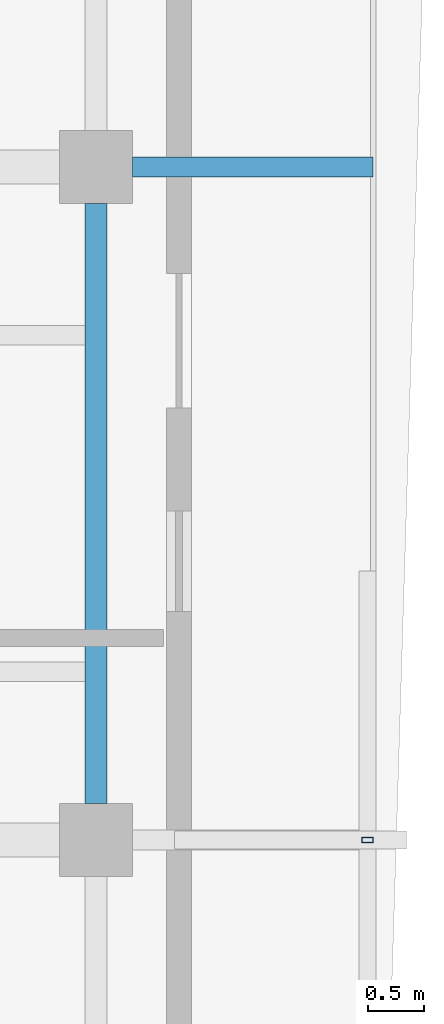
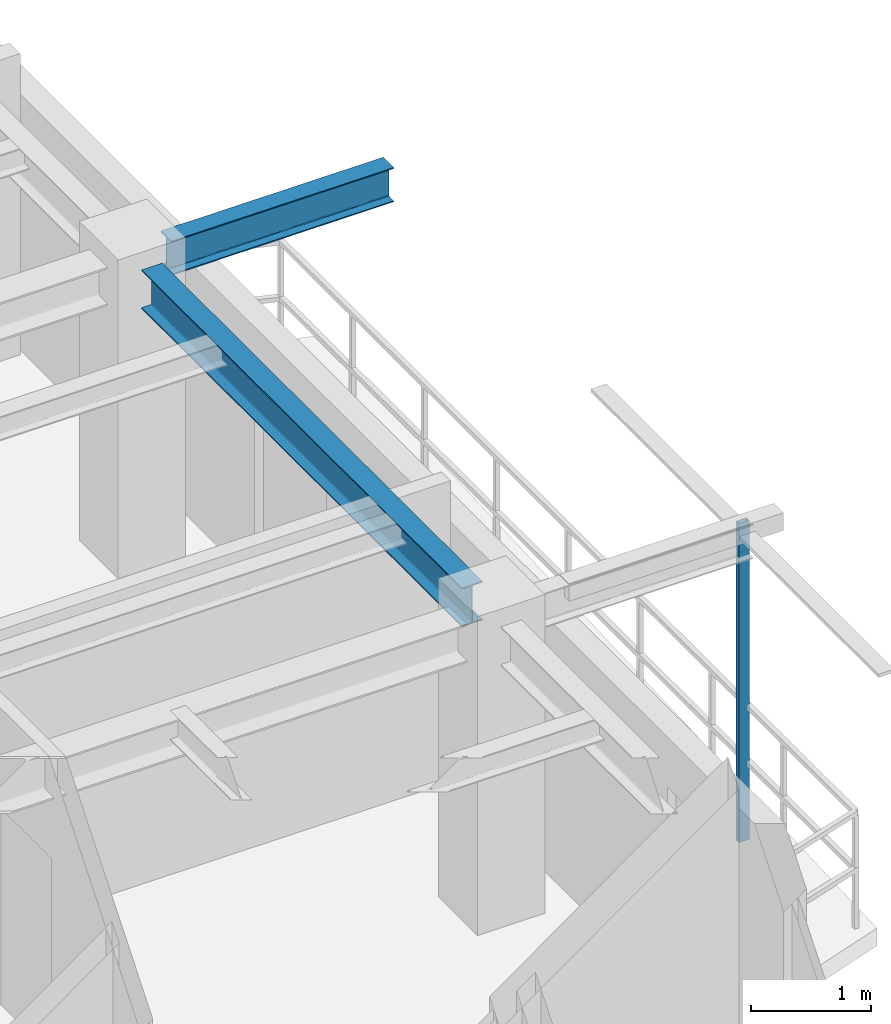
# One storey, part 7 of 15: 2 beams, 1 member.
"""IFC4 building model written with IfcOpenShell, lengths in metres."""

from ifc_helpers import new_model, si_unit, direction, frame, origin, origin_2d, place, context, subcontext, project, spatial, hollow_rectangle, i_section, extrude, source, transform, mapped, material, material_profile, profile_set, type_object, element, save


model = new_model("IFC4")

# Units and contexts
model_context = context("Model", 3, precision=1e-05, world=origin(), true_north=direction((0.0, 1.0)))
body_context = subcontext(model_context, "Body", "Model", "MODEL_VIEW")
ifc_project = project(units=[si_unit("LENGTHUNIT", "METRE"), si_unit("AREAUNIT", "SQUARE_METRE"), si_unit("VOLUMEUNIT", "CUBIC_METRE"), si_unit("PLANEANGLEUNIT", "RADIAN"), si_unit("MASSUNIT", "GRAM", prefix="KILO"), si_unit("THERMODYNAMICTEMPERATUREUNIT", "KELVIN"), si_unit("POWERUNIT", "WATT")], contexts=[model_context])

# Site, building, storey
site_placement = place(None, origin())
site = spatial("IfcSite", under=ifc_project, at=site_placement, CompositionType="ELEMENT")
building_placement = place(site_placement, origin())
building = spatial("IfcBuilding", under=site, at=building_placement, Name="Qiaomeng Ring Towers", CompositionType="ELEMENT")
storey_placement = place(building_placement, frame((0.0, 0.0, 250.25)))
storey = spatial("IfcBuildingStorey", under=building, at=storey_placement, Name="L73", CompositionType="ELEMENT", Elevation=250.25)

# Beams
ifc_material_1 = material(Name="Steel Q355B", Category="steel")
ifc_material_profile_1 = material_profile(ifc_material_1, i_section(OverallWidth=0.198974609375, OverallDepth=0.39599609375, WebThickness=0.007080078125, FlangeThickness=0.010986328125, FilletRadius=0.01611328125, at=origin_2d()), Name="HN 396x199x7x11")
ifc_profile_set_1 = profile_set([ifc_material_profile_1], Name="Steel Q355B")
beam_type_1 = type_object("IfcBeamType", Name="STR-BM-HN396", PredefinedType="SPANDREL", material=ifc_profile_set_1)
shared_shape_1 = source(origin(), body_context, "Body", "SweptSolid", [
    extrude(i_section(OverallWidth=0.198974609375, OverallDepth=0.39599609375, WebThickness=0.007080078125, FlangeThickness=0.010986328125, FilletRadius=0.01611328125, at=origin_2d()), origin(), (0.0, 0.0, 1.0), 5.35205078125),
])
beam_1_placement = place(storey_placement, frame((33.85009765625, 20.323974609375, 2.8720703125), z_axis=(0.0, 1.0, 0.0), x_axis=(-1.0, 0.0, 0.0)))
element("IfcBeam", 1, at=beam_1_placement, inside=storey, type_object=beam_type_1, Name="L73 beam STR-SP-L73-T1-E2-E3", PredefinedType="SPANDREL", context=body_context, shape_type="MappedRepresentation", body=[
    mapped(shared_shape_1, transform((0.0, 0.0, 0.0), x_axis=(1.0, 0.0, 0.0), y_axis=(0.0, 1.0, 0.0), z_axis=(0.0, 0.0, 1.0), scale=1.0)),
])
ifc_material_profile_2 = material_profile(ifc_material_1, i_section(OverallWidth=0.175048828125, OverallDepth=0.35009765625, WebThickness=0.007080078125, FlangeThickness=0.010986328125, FilletRadius=0.013916015625, at=origin_2d()), Name="HN 350x175x7x11")
ifc_profile_set_2 = profile_set([ifc_material_profile_2], Name="Steel Q355B")
beam_type_2 = type_object("IfcBeamType", Name="STR-BM-HN350", PredefinedType="JOIST", material=ifc_profile_set_2)
shared_shape_2 = source(origin(), body_context, "Body", "SweptSolid", [
    extrude(i_section(OverallWidth=0.175048828125, OverallDepth=0.35009765625, WebThickness=0.007080078125, FlangeThickness=0.010986328125, FilletRadius=0.013916015625, at=origin_2d()), origin(), (0.0, 0.0, 1.0), 2.14599609375),
])
beam_2_placement = place(storey_placement, frame((34.174072265625, 26.0, 2.89501953125), z_axis=(1.0, 0.0, 0.0), x_axis=(0.0, 1.0, 0.0)))
element("IfcBeam", 2, at=beam_2_placement, inside=storey, type_object=beam_type_2, Name="L73 beam STR-BALBM-L73-E3", PredefinedType="JOIST", context=body_context, shape_type="MappedRepresentation", body=[
    mapped(shared_shape_2, transform((0.0, 0.0, 0.0), x_axis=(1.0, 0.0, 0.0), y_axis=(0.0, 1.0, 0.0), z_axis=(0.0, 0.0, 1.0), scale=1.0)),
])

# Member
ifc_material_2 = material(Name="Stainless steel 316", Category="steel")
ifc_material_profile_3 = material_profile(ifc_material_2, hollow_rectangle(XDim=0.050048828125, YDim=0.10009765625, WallThickness=0.00390625, at=origin_2d()), Name="SS TRELLIS 100x50")
ifc_profile_set_3 = profile_set([ifc_material_profile_3], Name="Stainless steel 316")
member_type = type_object("IfcMemberType", Name="ARC-TR-POST2", PredefinedType="STUD", material=ifc_profile_set_3)
shared_shape_3 = source(origin(), body_context, "Body", "SweptSolid", [
    extrude(hollow_rectangle(XDim=0.050048828125, YDim=0.10009765625, WallThickness=0.00390625, at=origin_2d()), origin(), (0.0, 0.0, 1.0), 3.25),
])
member_placement = place(storey_placement, frame((36.27001953125, 20.0, -0.179931640625), z_axis=(0.0, 0.0, 1.0), x_axis=(0.0, 1.0, 0.0)))
element("IfcMember", 3, at=member_placement, inside=storey, type_object=member_type, Name="L73 Outer Ventilated Trellis Post E", PredefinedType="STUD", context=body_context, shape_type="MappedRepresentation", body=[
    mapped(shared_shape_3, transform((0.0, 0.0, 0.0), x_axis=(1.0, 0.0, 0.0), y_axis=(0.0, 1.0, 0.0), z_axis=(0.0, 0.0, 1.0), scale=1.0)),
])

save(model, "model.ifc")
